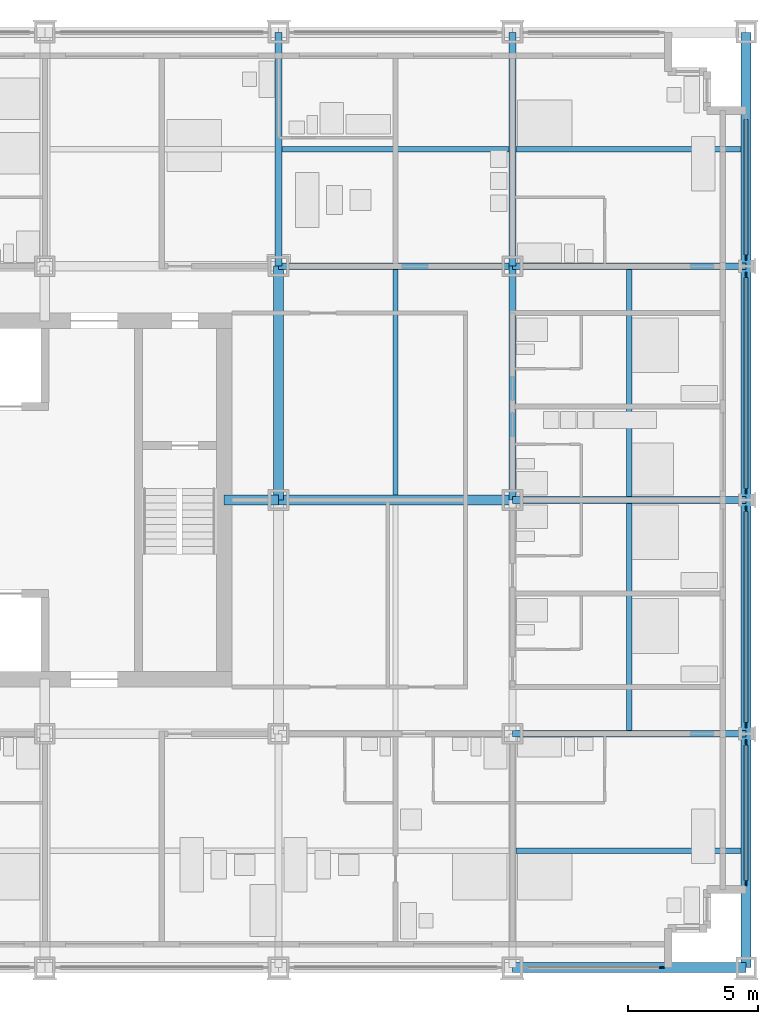
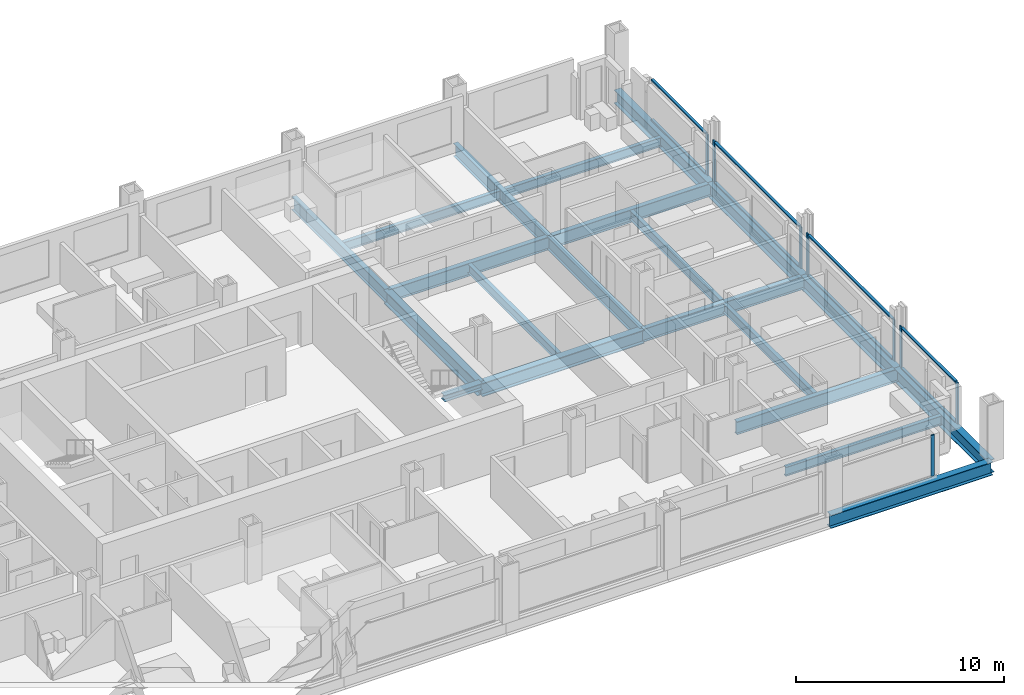
# One storey, part 6 of 18: 20 beams, 17 members, 5 elements without a shape of their own.
"""IFC4 building model written with IfcOpenShell, lengths in metres."""

from ifc_helpers import new_model, si_unit, direction, frame, origin, origin_2d, place, context, subcontext, project, spatial, rectangle, i_section, extrude, material, material_profile, profile_set, type_object, element, aggregate, save


model = new_model("IFC4")

# Units and contexts
model_context = context("Model", 3, precision=1e-05, world=origin(), true_north=direction((0.0, 1.0)))
body_context = subcontext(model_context, "Body", "Model", "MODEL_VIEW")
ifc_project = project(units=[si_unit("LENGTHUNIT", "METRE"), si_unit("AREAUNIT", "SQUARE_METRE"), si_unit("VOLUMEUNIT", "CUBIC_METRE"), si_unit("PLANEANGLEUNIT", "RADIAN"), si_unit("MASSUNIT", "GRAM", prefix="KILO")], contexts=[model_context])

# Site, building, storey
site_placement = place(None, origin())
site = spatial("IfcSite", under=ifc_project, at=site_placement, CompositionType="ELEMENT")
building_placement = place(site_placement, origin())
building = spatial("IfcBuilding", under=site, at=building_placement, Name="Loomwork Tower", CompositionType="ELEMENT")
storey_placement = place(building_placement, frame((0.0, 0.0, 51.800048828125)))
storey = spatial("IfcBuildingStorey", under=building, at=storey_placement, Name="L12", CompositionType="ELEMENT", Elevation=51.800048828125)

# Beams
ifc_material_1 = material(Name="Steel ASTM A992", Category="steel")
ifc_material_profile_1 = material_profile(ifc_material_1, i_section(OverallWidth=0.383544921875, OverallDepth=0.794921875, WebThickness=0.02099609375, FlangeThickness=0.0380859375, at=origin_2d()), Name="W30x235")
ifc_profile_set_1 = profile_set([ifc_material_profile_1], Name="Steel ASTM A992")
beam_type_1 = type_object("IfcBeamType", Name="CORE FLANK GIRDER W30x235", PredefinedType="BEAM", material=ifc_profile_set_1)
for number, where, z_axis, x_axis, name in (
    (1, (36.0, 18.0, -0.59765625), (1.0, 0.0, 0.0), (0.0, 1.0, 0.0), "Core Flank Girder F/6-F/7 L12"),
    (2, (36.0, 18.0, -0.59765625), (0.0, 1.0, 0.0), (-1.0, 0.0, 0.0), "Core Flank Girder F/6-G/6 L12"),
):
    element("IfcBeam", number, at=place(storey_placement, frame(where, z_axis=z_axis, x_axis=x_axis)), inside=storey, type_object=beam_type_1, Name=name, PredefinedType="BEAM", context=body_context, shape_type="SweptSolid", body=[
        extrude(i_section(OverallWidth=0.383544921875, OverallDepth=0.794921875, WebThickness=0.02099609375, FlangeThickness=0.0380859375, at=origin_2d()), origin(), (0.0, 0.0, 1.0), 9.0),
    ])

# Member
ifc_material_2 = material(Name="Steel ASTM A992", Category="steel")
ifc_material_profile_2 = material_profile(ifc_material_2, i_section(OverallWidth=0.373291015625, OverallDepth=0.373291015625, WebThickness=0.016357421875, FlangeThickness=0.026123046875, at=origin_2d()), Name="W14x132")
ifc_profile_set_2 = profile_set([ifc_material_profile_2], Name="Steel ASTM A992")
member_type_1 = type_object("IfcMemberType", Name="CORE LINK STRUT W14x132", PredefinedType="STRUT", material=ifc_profile_set_2)
member_1_placement = place(storey_placement, frame((36.0, 18.0, -0.38671875), z_axis=(-1.0, 0.0, 0.0), x_axis=(0.0, -1.0, 0.0)))
element("IfcMember", 3, at=member_1_placement, inside=storey, type_object=member_type_1, Name="Core link strut F/6-33.900,18.000 L12", PredefinedType="STRUT", context=body_context, shape_type="SweptSolid", body=[
    extrude(i_section(OverallWidth=0.373291015625, OverallDepth=0.373291015625, WebThickness=0.016357421875, FlangeThickness=0.026123046875, at=origin_2d()), origin(), (0.0, 0.0, 1.0), 2.10009765625),
])

# Beams
ifc_material_3 = material(Name="Steel ASTM A992", Category="steel")
ifc_material_profile_3 = material_profile(ifc_material_3, i_section(OverallWidth=0.2666015625, OverallDepth=0.761962890625, WebThickness=0.014404296875, FlangeThickness=0.021484375, at=origin_2d()), Name="W30x116")
ifc_profile_set_3 = profile_set([ifc_material_profile_3], Name="Steel ASTM A992")
beam_type_2 = type_object("IfcBeamType", Name="FLOOR GIRDER W30x116", PredefinedType="BEAM", material=ifc_profile_set_3)
for number, where, z_axis, x_axis, name in (
    (4, (45.0, 9.0, -0.5810546875), (1.0, 0.0, 0.0), (0.0, 1.0, 0.0), "Floor Girder E/7-E/8 L12"),
    (5, (45.0, 18.0, -0.5810546875), (1.0, 0.0, 0.0), (0.0, 1.0, 0.0), "Floor Girder F/7-F/8 L12"),
    (6, (36.0, 27.0, -0.5810546875), (1.0, 0.0, 0.0), (0.0, 1.0, 0.0), "Floor Girder G/6-G/7 L12"),
    (7, (45.0, 27.0, -0.5810546875), (1.0, 0.0, 0.0), (0.0, 1.0, 0.0), "Floor Girder G/7-G/8 L12"),
    (8, (36.0, 27.0, -0.5810546875), (0.0, 1.0, 0.0), (-1.0, 0.0, 0.0), "Floor Girder G/6-H/6 L12"),
    (9, (45.0, 18.0, -0.5810546875), (0.0, 1.0, 0.0), (-1.0, 0.0, 0.0), "Floor Girder F/7-G/7 L12"),
    (10, (45.0, 27.0, -0.5810546875), (0.0, 1.0, 0.0), (-1.0, 0.0, 0.0), "Floor Girder G/7-H/7 L12"),
):
    element("IfcBeam", number, at=place(storey_placement, frame(where, z_axis=z_axis, x_axis=x_axis)), inside=storey, type_object=beam_type_2, Name=name, PredefinedType="BEAM", context=body_context, shape_type="SweptSolid", body=[
        extrude(i_section(OverallWidth=0.2666015625, OverallDepth=0.761962890625, WebThickness=0.014404296875, FlangeThickness=0.021484375, at=origin_2d()), origin(), (0.0, 0.0, 1.0), 9.0),
    ])
ifc_material_4 = material(Name="Steel ASTM A992", Category="steel")
ifc_material_profile_4 = material_profile(ifc_material_4, i_section(OverallWidth=0.2109375, OverallDepth=0.53857421875, WebThickness=0.011474609375, FlangeThickness=0.018798828125, at=origin_2d()), Name="W21x73")
ifc_profile_set_4 = profile_set([ifc_material_profile_4], Name="Steel ASTM A992")
beam_type_3 = type_object("IfcBeamType", Name="FLOOR JOIST W21x73", PredefinedType="JOIST", material=ifc_profile_set_4)
beam_1_placement = place(storey_placement, frame((40.5, 18.19091796875, -0.46923828125), z_axis=(0.0, 1.0, 0.0), x_axis=(-1.0, 0.0, 0.0)))
element("IfcBeam", 11, at=beam_1_placement, inside=storey, type_object=beam_type_3, Name="Floor Joist 40.500,18.000-40.500,27.000 L12", PredefinedType="JOIST", context=body_context, shape_type="SweptSolid", body=[
    extrude(i_section(OverallWidth=0.2109375, OverallDepth=0.53857421875, WebThickness=0.011474609375, FlangeThickness=0.018798828125, at=origin_2d()), origin(), (0.0, 0.0, 1.0), 8.676025390625),
])
beam_2_placement = place(storey_placement, frame((36.133056640625, 31.5, -0.46923828125), z_axis=(1.0, 0.0, 0.0), x_axis=(0.0, 1.0, 0.0)))
element("IfcBeam", 12, at=beam_2_placement, inside=storey, type_object=beam_type_3, Name="Floor Joist 36.000,31.500-45.000,31.500 L12", PredefinedType="JOIST", context=body_context, shape_type="SweptSolid", body=[
    extrude(i_section(OverallWidth=0.2109375, OverallDepth=0.53857421875, WebThickness=0.011474609375, FlangeThickness=0.018798828125, at=origin_2d()), origin(), (0.0, 0.0, 1.0), 8.73388671875),
])
beam_3_placement = place(storey_placement, frame((45.133056640625, 4.5, -0.46923828125), z_axis=(1.0, 0.0, 0.0), x_axis=(0.0, 1.0, 0.0)))
element("IfcBeam", 13, at=beam_3_placement, inside=storey, type_object=beam_type_3, Name="Floor Joist 45.000,4.500-54.000,4.500 L12", PredefinedType="JOIST", context=body_context, shape_type="SweptSolid", body=[
    extrude(i_section(OverallWidth=0.2109375, OverallDepth=0.53857421875, WebThickness=0.011474609375, FlangeThickness=0.018798828125, at=origin_2d()), origin(), (0.0, 0.0, 1.0), 8.677001953125),
])
for number, where, z_axis, x_axis, name in (
    (14, (49.5, 9.133056640625, -0.46923828125), (0.0, 1.0, 0.0), (-1.0, 0.0, 0.0), "Floor Joist 49.500,9.000-49.500,18.000 L12"),
    (15, (49.5, 18.133056640625, -0.46923828125), (0.0, 1.0, 0.0), (-1.0, 0.0, 0.0), "Floor Joist 49.500,18.000-49.500,27.000 L12"),
):
    element("IfcBeam", number, at=place(storey_placement, frame(where, z_axis=z_axis, x_axis=x_axis)), inside=storey, type_object=beam_type_3, Name=name, PredefinedType="JOIST", context=body_context, shape_type="SweptSolid", body=[
        extrude(i_section(OverallWidth=0.2109375, OverallDepth=0.53857421875, WebThickness=0.011474609375, FlangeThickness=0.018798828125, at=origin_2d()), origin(), (0.0, 0.0, 1.0), 8.73388671875),
    ])
beam_4_placement = place(storey_placement, frame((45.133056640625, 31.5, -0.46923828125), z_axis=(1.0, 0.0, 0.0), x_axis=(0.0, 1.0, 0.0)))
element("IfcBeam", 16, at=beam_4_placement, inside=storey, type_object=beam_type_3, Name="Floor Joist 45.000,31.500-54.000,31.500 L12", PredefinedType="JOIST", context=body_context, shape_type="SweptSolid", body=[
    extrude(i_section(OverallWidth=0.2109375, OverallDepth=0.53857421875, WebThickness=0.011474609375, FlangeThickness=0.018798828125, at=origin_2d()), origin(), (0.0, 0.0, 1.0), 8.677001953125),
])

# Curtain wall, member
ifc_material_5 = material(Name="Aluminium curtain wall frame", Category="aluminium")
curtain_wall_type = type_object("IfcCurtainWallType", Name="Outer skin glazing hotel", PredefinedType="NOTDEFINED", material=ifc_material_5)
curtain_wall_1_placement = place(storey_placement, origin())
curtain_wall_1 = element("IfcCurtainWall", 17, at=curtain_wall_1_placement, inside=storey, type_object=curtain_wall_type, Name="Outer skin glazing hotel cw/S-45", PredefinedType="NOTDEFINED")
ifc_material_6 = material(Name="Aluminium curtain wall frame", Category="aluminium")
ifc_material_profile_5 = material_profile(ifc_material_6, rectangle(XDim=0.06494140625, YDim=0.199951171875, at=origin_2d()), Name="AL 65x200")
ifc_profile_set_5 = profile_set([ifc_material_profile_5], Name="Aluminium curtain wall frame")
member_type_2 = type_object("IfcMemberType", Name="Outer skin glazing hotel mullion", PredefinedType="MULLION", material=ifc_profile_set_5)
member_2_placement = place(storey_placement, frame((50.75, 0.0, 0.0), z_axis=(0.0, 0.0, 1.0), x_axis=(0.0, 1.0, 0.0)))
member_2 = element("IfcMember", 18, at=member_2_placement, type_object=member_type_2, Name="CW1 mullion 2", PredefinedType="MULLION", context=body_context, shape_type="SweptSolid", body=[
    extrude(rectangle(XDim=0.06494140625, YDim=0.199951171875, at=origin_2d()), origin(), (0.0, 0.0, 1.0), 2.420166015625),
])
aggregate(curtain_wall_1, [member_2])

# Curtain wall, members
curtain_wall_2_placement = place(storey_placement, origin())
curtain_wall_2 = element("IfcCurtainWall", 19, at=curtain_wall_2_placement, inside=storey, type_object=curtain_wall_type, Name="Outer skin glazing hotel cw/E-0", PredefinedType="NOTDEFINED")
member_3_placement = place(storey_placement, frame((54.0, 3.25, 0.0), z_axis=(0.0, 0.0, 1.0), x_axis=(-1.0, 0.0, 0.0)))
member_3 = element("IfcMember", 20, at=member_3_placement, type_object=member_type_2, Name="CW1 mullion 1", PredefinedType="MULLION", context=body_context, shape_type="SweptSolid", body=[
    extrude(rectangle(XDim=0.06494140625, YDim=0.199951171875, at=origin_2d()), origin(), (0.0, 0.0, 1.0), 2.420166015625),
])
member_4_placement = place(storey_placement, frame((54.0, 8.6611328125, 0.0), z_axis=(0.0, 0.0, 1.0), x_axis=(-1.0, 0.0, 0.0)))
member_4 = element("IfcMember", 21, at=member_4_placement, type_object=member_type_2, Name="CW1 mullion 2", PredefinedType="MULLION", context=body_context, shape_type="SweptSolid", body=[
    extrude(rectangle(XDim=0.06494140625, YDim=0.199951171875, at=origin_2d()), origin(), (0.0, 0.0, 1.0), 2.420166015625),
])

curtain_wall_3_placement = place(storey_placement, origin())
curtain_wall_3 = element("IfcCurtainWall", 22, at=curtain_wall_3_placement, inside=storey, type_object=curtain_wall_type, Name="Outer skin glazing hotel cw/E-9", PredefinedType="NOTDEFINED")
member_5_placement = place(storey_placement, frame((54.0, 9.3388671875, 0.0), z_axis=(0.0, 0.0, 1.0), x_axis=(-1.0, 0.0, 0.0)))
member_5 = element("IfcMember", 23, at=member_5_placement, type_object=member_type_2, Name="CW1 mullion 1", PredefinedType="MULLION", context=body_context, shape_type="SweptSolid", body=[
    extrude(rectangle(XDim=0.06494140625, YDim=0.199951171875, at=origin_2d()), origin(), (0.0, 0.0, 1.0), 2.420166015625),
])
member_6_placement = place(storey_placement, frame((54.0, 17.6611328125, 0.0), z_axis=(0.0, 0.0, 1.0), x_axis=(-1.0, 0.0, 0.0)))
member_6 = element("IfcMember", 24, at=member_6_placement, type_object=member_type_2, Name="CW1 mullion 2", PredefinedType="MULLION", context=body_context, shape_type="SweptSolid", body=[
    extrude(rectangle(XDim=0.06494140625, YDim=0.199951171875, at=origin_2d()), origin(), (0.0, 0.0, 1.0), 2.420166015625),
])

curtain_wall_4_placement = place(storey_placement, origin())
curtain_wall_4 = element("IfcCurtainWall", 25, at=curtain_wall_4_placement, inside=storey, type_object=curtain_wall_type, Name="Outer skin glazing hotel cw/E-18", PredefinedType="NOTDEFINED")
member_7_placement = place(storey_placement, frame((54.0, 18.3388671875, 0.0), z_axis=(0.0, 0.0, 1.0), x_axis=(-1.0, 0.0, 0.0)))
member_7 = element("IfcMember", 26, at=member_7_placement, type_object=member_type_2, Name="CW1 mullion 1", PredefinedType="MULLION", context=body_context, shape_type="SweptSolid", body=[
    extrude(rectangle(XDim=0.06494140625, YDim=0.199951171875, at=origin_2d()), origin(), (0.0, 0.0, 1.0), 2.420166015625),
])
member_8_placement = place(storey_placement, frame((54.0, 26.6611328125, 0.0), z_axis=(0.0, 0.0, 1.0), x_axis=(-1.0, 0.0, 0.0)))
member_8 = element("IfcMember", 27, at=member_8_placement, type_object=member_type_2, Name="CW1 mullion 2", PredefinedType="MULLION", context=body_context, shape_type="SweptSolid", body=[
    extrude(rectangle(XDim=0.06494140625, YDim=0.199951171875, at=origin_2d()), origin(), (0.0, 0.0, 1.0), 2.420166015625),
])

# Curtain wall, member
curtain_wall_5_placement = place(storey_placement, origin())
curtain_wall_5 = element("IfcCurtainWall", 28, at=curtain_wall_5_placement, inside=storey, type_object=curtain_wall_type, Name="Outer skin glazing hotel cw/E-27", PredefinedType="NOTDEFINED")
member_9_placement = place(storey_placement, frame((54.0, 27.3388671875, 0.0), z_axis=(0.0, 0.0, 1.0), x_axis=(-1.0, 0.0, 0.0)))
member_9 = element("IfcMember", 29, at=member_9_placement, type_object=member_type_2, Name="CW1 mullion 1", PredefinedType="MULLION", context=body_context, shape_type="SweptSolid", body=[
    extrude(rectangle(XDim=0.06494140625, YDim=0.199951171875, at=origin_2d()), origin(), (0.0, 0.0, 1.0), 2.420166015625),
])

# Member
ifc_material_7 = material(Name="Aluminium curtain wall frame", Category="aluminium")
ifc_material_profile_6 = material_profile(ifc_material_7, rectangle(XDim=0.14990234375, YDim=0.06494140625, at=origin_2d()), Name="AL 65x150")
ifc_profile_set_6 = profile_set([ifc_material_profile_6], Name="Aluminium curtain wall frame")
member_type_3 = type_object("IfcMemberType", Name="Outer skin glazing hotel transom", PredefinedType="USERDEFINED", material=ifc_profile_set_6)
member_10_placement = place(storey_placement, frame((54.0, 3.35009765625, 0.032470703125), z_axis=(0.0, 1.0, 0.0), x_axis=(-1.0, 0.0, 0.0)))
member_10 = element("IfcMember", 30, at=member_10_placement, type_object=member_type_3, Name="CW1 transom 1.1", ObjectType="TRANSOM", PredefinedType="USERDEFINED", context=body_context, shape_type="SweptSolid", body=[
    extrude(rectangle(XDim=0.14990234375, YDim=0.06494140625, at=origin_2d()), origin(), (0.0, 0.0, 1.0), 5.211181640625),
])

member_11_placement = place(storey_placement, frame((54.0, 3.35009765625, 2.3876953125), z_axis=(0.0, 1.0, 0.0), x_axis=(-1.0, 0.0, 0.0)))
member_11 = element("IfcMember", 31, at=member_11_placement, type_object=member_type_3, Name="CW1 transom 1.2", ObjectType="TRANSOM", PredefinedType="USERDEFINED", context=body_context, shape_type="SweptSolid", body=[
    extrude(rectangle(XDim=0.14990234375, YDim=0.06494140625, at=origin_2d()), origin(), (0.0, 0.0, 1.0), 5.211181640625),
])

aggregate(curtain_wall_2, [member_3, member_4, member_10, member_11])

member_12_placement = place(storey_placement, frame((54.0, 9.438720703125, 0.032470703125), z_axis=(0.0, 1.0, 0.0), x_axis=(-1.0, 0.0, 0.0)))
member_12 = element("IfcMember", 32, at=member_12_placement, type_object=member_type_3, Name="CW1 transom 1.1", ObjectType="TRANSOM", PredefinedType="USERDEFINED", context=body_context, shape_type="SweptSolid", body=[
    extrude(rectangle(XDim=0.14990234375, YDim=0.06494140625, at=origin_2d()), origin(), (0.0, 0.0, 1.0), 8.12255859375),
])

member_13_placement = place(storey_placement, frame((54.0, 9.438720703125, 2.3876953125), z_axis=(0.0, 1.0, 0.0), x_axis=(-1.0, 0.0, 0.0)))
member_13 = element("IfcMember", 33, at=member_13_placement, type_object=member_type_3, Name="CW1 transom 1.2", ObjectType="TRANSOM", PredefinedType="USERDEFINED", context=body_context, shape_type="SweptSolid", body=[
    extrude(rectangle(XDim=0.14990234375, YDim=0.06494140625, at=origin_2d()), origin(), (0.0, 0.0, 1.0), 8.12255859375),
])

aggregate(curtain_wall_3, [member_5, member_6, member_12, member_13])

member_14_placement = place(storey_placement, frame((54.0, 18.438720703125, 0.032470703125), z_axis=(0.0, 1.0, 0.0), x_axis=(-1.0, 0.0, 0.0)))
member_14 = element("IfcMember", 34, at=member_14_placement, type_object=member_type_3, Name="CW1 transom 1.1", ObjectType="TRANSOM", PredefinedType="USERDEFINED", context=body_context, shape_type="SweptSolid", body=[
    extrude(rectangle(XDim=0.14990234375, YDim=0.06494140625, at=origin_2d()), origin(), (0.0, 0.0, 1.0), 8.12255859375),
])

member_15_placement = place(storey_placement, frame((54.0, 18.438720703125, 2.3876953125), z_axis=(0.0, 1.0, 0.0), x_axis=(-1.0, 0.0, 0.0)))
member_15 = element("IfcMember", 35, at=member_15_placement, type_object=member_type_3, Name="CW1 transom 1.2", ObjectType="TRANSOM", PredefinedType="USERDEFINED", context=body_context, shape_type="SweptSolid", body=[
    extrude(rectangle(XDim=0.14990234375, YDim=0.06494140625, at=origin_2d()), origin(), (0.0, 0.0, 1.0), 8.12255859375),
])

aggregate(curtain_wall_4, [member_7, member_8, member_14, member_15])

member_16_placement = place(storey_placement, frame((54.0, 27.438720703125, 0.032470703125), z_axis=(0.0, 1.0, 0.0), x_axis=(-1.0, 0.0, 0.0)))
member_16 = element("IfcMember", 36, at=member_16_placement, type_object=member_type_3, Name="CW1 transom 1.1", ObjectType="TRANSOM", PredefinedType="USERDEFINED", context=body_context, shape_type="SweptSolid", body=[
    extrude(rectangle(XDim=0.14990234375, YDim=0.06494140625, at=origin_2d()), origin(), (0.0, 0.0, 1.0), 5.211181640625),
])

member_17_placement = place(storey_placement, frame((54.0, 27.438720703125, 2.3876953125), z_axis=(0.0, 1.0, 0.0), x_axis=(-1.0, 0.0, 0.0)))
member_17 = element("IfcMember", 37, at=member_17_placement, type_object=member_type_3, Name="CW1 transom 1.2", ObjectType="TRANSOM", PredefinedType="USERDEFINED", context=body_context, shape_type="SweptSolid", body=[
    extrude(rectangle(XDim=0.14990234375, YDim=0.06494140625, at=origin_2d()), origin(), (0.0, 0.0, 1.0), 5.211181640625),
])

aggregate(curtain_wall_5, [member_9, member_16, member_17])

# Beams
ifc_material_8 = material(Name="Steel ASTM A992", Category="steel")
ifc_material_profile_7 = material_profile(ifc_material_8, i_section(OverallWidth=0.381103515625, OverallDepth=0.77978515625, WebThickness=0.01806640625, FlangeThickness=0.0302734375, at=origin_2d()), Name="W30x191")
ifc_profile_set_7 = profile_set([ifc_material_profile_7], Name="Steel ASTM A992")
beam_type_4 = type_object("IfcBeamType", Name="SPANDREL GIRDER W30x191", PredefinedType="SPANDREL", material=ifc_profile_set_7)
for number, where, z_axis, x_axis, name in (
    (38, (45.0, 0.0, -0.58984375), (1.0, 0.0, 0.0), (0.0, 1.0, 0.0), "Spandrel Girder D/7-D/8 L12"),
    (39, (54.0, 0.0, -0.58984375), (0.0, 1.0, 0.0), (-1.0, 0.0, 0.0), "Spandrel Girder D/8-E/8 L12"),
    (40, (54.0, 9.0, -0.58984375), (0.0, 1.0, 0.0), (-1.0, 0.0, 0.0), "Spandrel Girder E/8-F/8 L12"),
    (41, (54.0, 18.0, -0.58984375), (0.0, 1.0, 0.0), (-1.0, 0.0, 0.0), "Spandrel Girder F/8-G/8 L12"),
    (42, (54.0, 27.0, -0.58984375), (0.0, 1.0, 0.0), (-1.0, 0.0, 0.0), "Spandrel Girder G/8-H/8 L12"),
):
    element("IfcBeam", number, at=place(storey_placement, frame(where, z_axis=z_axis, x_axis=x_axis)), inside=storey, type_object=beam_type_4, Name=name, PredefinedType="SPANDREL", context=body_context, shape_type="SweptSolid", body=[
        extrude(i_section(OverallWidth=0.381103515625, OverallDepth=0.77978515625, WebThickness=0.01806640625, FlangeThickness=0.0302734375, at=origin_2d()), origin(), (0.0, 0.0, 1.0), 9.0),
    ])

save(model, "model.ifc")
